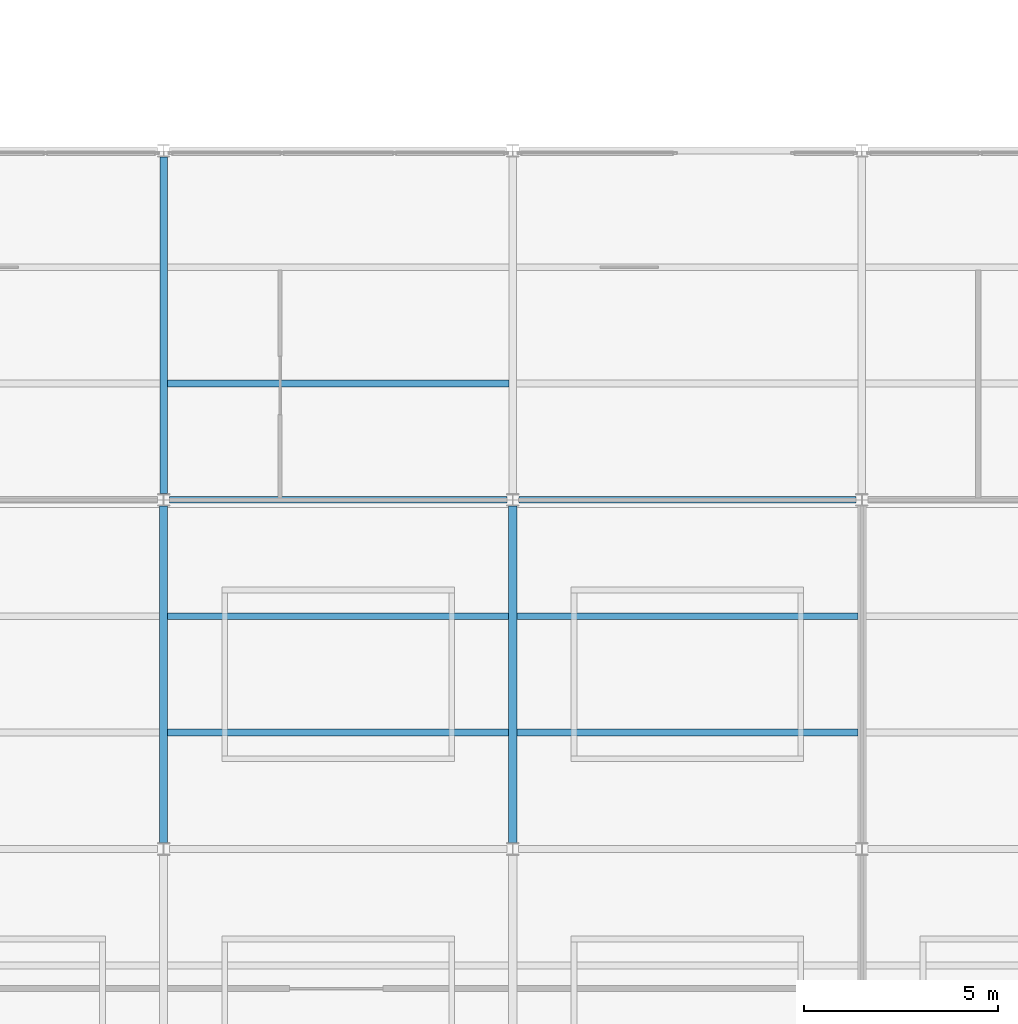
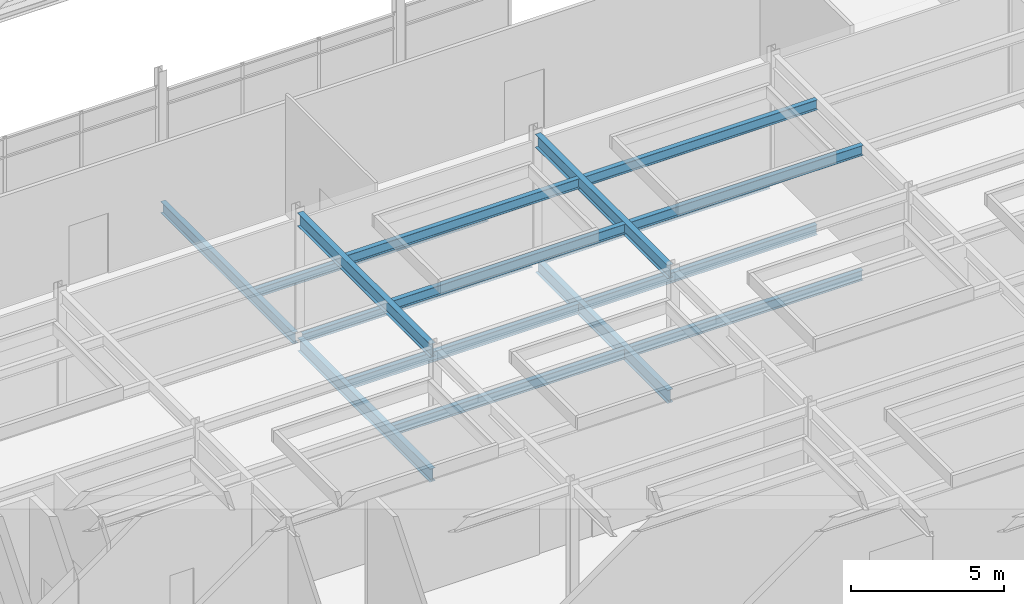
# One storey, part 28 of 115: 16 beams.
"""IFC4 building model written with IfcOpenShell, lengths in metres."""

from ifc_helpers import new_model, si_unit, direction, frame, origin, origin_2d, place, context, subcontext, project, spatial, i_section, extrude, material, material_profile, profile_set, type_object, element, save


model = new_model("IFC4")

# Units and contexts
model_context = context("Model", 3, precision=1e-05, world=origin(), true_north=direction((0.0, 1.0)))
body_context = subcontext(model_context, "Body", "Model", "MODEL_VIEW")
ifc_project = project(units=[si_unit("LENGTHUNIT", "METRE"), si_unit("AREAUNIT", "SQUARE_METRE"), si_unit("VOLUMEUNIT", "CUBIC_METRE"), si_unit("PLANEANGLEUNIT", "RADIAN"), si_unit("MASSUNIT", "GRAM", prefix="KILO")], contexts=[model_context])

# Site, building, storey
site_placement = place(None, origin())
site = spatial("IfcSite", under=ifc_project, at=site_placement, CompositionType="ELEMENT")
building_placement = place(site_placement, origin())
building = spatial("IfcBuilding", under=site, at=building_placement, Name="Shorebreak Coast Museum", CompositionType="ELEMENT")
storey_placement = place(building_placement, frame((0.0, 0.0, 11.0)))
storey = spatial("IfcBuildingStorey", under=building, at=storey_placement, Name="L02", CompositionType="ELEMENT", Elevation=11.0)

# Beams
ifc_material_1 = material(Name="Steel Grade 300", Category="steel")
ifc_material_profile_1 = material_profile(ifc_material_1, i_section(OverallWidth=0.172119140625, OverallDepth=0.358642578125, WebThickness=0.008056640625, FlangeThickness=0.012939453125, FilletRadius=0.011474609375, at=origin_2d()), Name="360UB56.7")
ifc_profile_set_1 = profile_set([ifc_material_profile_1], Name="Steel Grade 300")
beam_type_1 = type_object("IfcBeamType", Name="Floor girder east-west 360UB56.7", PredefinedType="BEAM", material=ifc_profile_set_1)
for number, where, z_axis, x_axis, name in (
    (1, (81.154541015625, 54.0, -0.354248046875), (1.0, 0.0, 0.0), (0.0, 1.0, 0.0), "Floor girder east-west L02 10G"),
    (2, (90.154541015625, 54.0, -0.354248046875), (1.0, 0.0, 0.0), (0.0, 1.0, 0.0), "Floor girder east-west L02 11G"),
):
    element("IfcBeam", number, at=place(storey_placement, frame(where, z_axis=z_axis, x_axis=x_axis)), inside=storey, type_object=beam_type_1, Name=name, PredefinedType="BEAM", context=body_context, shape_type="SweptSolid", body=[
        extrude(i_section(OverallWidth=0.172119140625, OverallDepth=0.358642578125, WebThickness=0.008056640625, FlangeThickness=0.012939453125, FilletRadius=0.011474609375, at=origin_2d()), origin(), (0.0, 0.0, 1.0), 8.69091796875),
    ])
ifc_material_2 = material(Name="Steel Grade 300", Category="steel")
ifc_material_profile_2 = material_profile(ifc_material_2, i_section(OverallWidth=0.19091796875, OverallDepth=0.46044921875, WebThickness=0.010009765625, FlangeThickness=0.01611328125, FilletRadius=0.011474609375, at=origin_2d()), Name="460UB82.1")
ifc_profile_set_2 = profile_set([ifc_material_profile_2], Name="Steel Grade 300")
beam_type_2 = type_object("IfcBeamType", Name="Floor girder north-south 460UB82.1", PredefinedType="BEAM", material=ifc_profile_set_2)
beam_1_placement = place(storey_placement, frame((81.0, 54.160400390625, -0.4052734375), z_axis=(0.0, 1.0, 0.0), x_axis=(-1.0, 0.0, 0.0)))
element("IfcBeam", 3, at=beam_1_placement, inside=storey, type_object=beam_type_2, Name="Floor girder north-south L02 10G", PredefinedType="BEAM", context=body_context, shape_type="SweptSolid", body=[
    extrude(i_section(OverallWidth=0.19091796875, OverallDepth=0.46044921875, WebThickness=0.010009765625, FlangeThickness=0.01611328125, FilletRadius=0.011474609375, at=origin_2d()), origin(), (0.0, 0.0, 1.0), 8.676025390625),
])
ifc_material_3 = material(Name="Steel Grade 300", Category="steel")
ifc_material_profile_3 = material_profile(ifc_material_3, i_section(OverallWidth=0.208984375, OverallDepth=0.5283203125, WebThickness=0.009521484375, FlangeThickness=0.01318359375, FilletRadius=0.013916015625, at=origin_2d()), Name="530UB82.0")
ifc_profile_set_3 = profile_set([ifc_material_profile_3], Name="Steel Grade 300")
beam_type_3 = type_object("IfcBeamType", Name="Floor girder north-south 530UB82.0", PredefinedType="BEAM", material=ifc_profile_set_3)
for number, where, z_axis, x_axis, name in (
    (4, (81.0, 45.160400390625, -0.439208984375), (0.0, 1.0, 0.0), (-1.0, 0.0, 0.0), "Floor girder north-south L02 10F"),
    (5, (90.0, 45.160400390625, -0.439208984375), (0.0, 1.0, 0.0), (-1.0, 0.0, 0.0), "Floor girder north-south L02 11F"),
):
    element("IfcBeam", number, at=place(storey_placement, frame(where, z_axis=z_axis, x_axis=x_axis)), inside=storey, type_object=beam_type_3, Name=name, PredefinedType="BEAM", context=body_context, shape_type="SweptSolid", body=[
        extrude(i_section(OverallWidth=0.208984375, OverallDepth=0.5283203125, WebThickness=0.009521484375, FlangeThickness=0.01318359375, FilletRadius=0.013916015625, at=origin_2d()), origin(), (0.0, 0.0, 1.0), 8.67919921875),
    ])
ifc_material_4 = material(Name="Steel Grade 300", Category="steel")
ifc_material_profile_4 = material_profile(ifc_material_4, i_section(OverallWidth=0.1708984375, OverallDepth=0.35205078125, WebThickness=0.0068359375, FlangeThickness=0.009765625, FilletRadius=0.011474609375, at=origin_2d()), Name="360UB44.7")
ifc_profile_set_4 = profile_set([ifc_material_profile_4], Name="Steel Grade 300")
beam_type_4 = type_object("IfcBeamType", Name="Floor joist 360UB44.7", PredefinedType="JOIST", material=ifc_profile_set_4)
beam_2_placement = place(storey_placement, frame((81.095458984375, 57.0, -0.35107421875), z_axis=(1.0, 0.0, 0.0), x_axis=(0.0, 1.0, 0.0)))
element("IfcBeam", 6, at=beam_2_placement, inside=storey, type_object=beam_type_4, Name="Floor joist L02 bay 10G at 3000 mm", PredefinedType="JOIST", context=body_context, shape_type="SweptSolid", body=[
    extrude(i_section(OverallWidth=0.1708984375, OverallDepth=0.35205078125, WebThickness=0.0068359375, FlangeThickness=0.009765625, FilletRadius=0.011474609375, at=origin_2d()), origin(), (0.0, 0.0, 1.0), 8.80908203125),
])
ifc_material_5 = material(Name="Steel Grade 300", Category="steel")
ifc_material_profile_5 = material_profile(ifc_material_5, i_section(OverallWidth=0.177978515625, OverallDepth=0.406494140625, WebThickness=0.0078125, FlangeThickness=0.0126953125, FilletRadius=0.011474609375, at=origin_2d()), Name="410UB59.7")
ifc_profile_set_5 = profile_set([ifc_material_profile_5], Name="Steel Grade 300")
beam_type_5 = type_object("IfcBeamType", Name="Floor joist 410UB59.7", PredefinedType="JOIST", material=ifc_profile_set_5)
for number, where, z_axis, x_axis, name in (
    (7, (81.1044921875, 48.0, -0.378173828125), (1.0, 0.0, 0.0), (0.0, 1.0, 0.0), "Floor joist L02 bay 10F at 3000 mm"),
    (8, (81.1044921875, 51.0, -0.378173828125), (1.0, 0.0, 0.0), (0.0, 1.0, 0.0), "Floor joist L02 bay 10F at 6000 mm"),
    (9, (90.1044921875, 48.0, -0.378173828125), (1.0, 0.0, 0.0), (0.0, 1.0, 0.0), "Floor joist L02 bay 11F at 3000 mm"),
    (10, (90.1044921875, 51.0, -0.378173828125), (1.0, 0.0, 0.0), (0.0, 1.0, 0.0), "Floor joist L02 bay 11F at 6000 mm"),
):
    element("IfcBeam", number, at=place(storey_placement, frame(where, z_axis=z_axis, x_axis=x_axis)), inside=storey, type_object=beam_type_5, Name=name, PredefinedType="JOIST", context=body_context, shape_type="SweptSolid", body=[
        extrude(i_section(OverallWidth=0.177978515625, OverallDepth=0.406494140625, WebThickness=0.0078125, FlangeThickness=0.0126953125, FilletRadius=0.011474609375, at=origin_2d()), origin(), (0.0, 0.0, 1.0), 8.791015625),
    ])
ifc_material_6 = material(Name="Steel Grade 300", Category="steel")
ifc_material_profile_6 = material_profile(ifc_material_6, i_section(OverallWidth=0.208984375, OverallDepth=0.5283203125, WebThickness=0.009521484375, FlangeThickness=0.01318359375, FilletRadius=0.013916015625, at=origin_2d()), Name="530UB82.0")
ifc_profile_set_6 = profile_set([ifc_material_profile_6], Name="Steel Grade 300")
beam_type_6 = type_object("IfcBeamType", Name="Roof deck girder north-south 530UB82.0", PredefinedType="BEAM", material=ifc_profile_set_6)
for number, where, z_axis, x_axis, name in (
    (11, (81.0, 45.1572265625, 4.560791015625), (0.0, 1.0, 0.0), (-1.0, 0.0, 0.0), "Roof deck girder north-south L03 10F"),
    (12, (90.0, 45.1572265625, 4.560791015625), (0.0, 1.0, 0.0), (-1.0, 0.0, 0.0), "Roof deck girder north-south L03 11F"),
):
    element("IfcBeam", number, at=place(storey_placement, frame(where, z_axis=z_axis, x_axis=x_axis)), inside=storey, type_object=beam_type_6, Name=name, PredefinedType="BEAM", context=body_context, shape_type="SweptSolid", body=[
        extrude(i_section(OverallWidth=0.208984375, OverallDepth=0.5283203125, WebThickness=0.009521484375, FlangeThickness=0.01318359375, FilletRadius=0.013916015625, at=origin_2d()), origin(), (0.0, 0.0, 1.0), 8.685546875),
    ])
ifc_material_7 = material(Name="Steel Grade 300", Category="steel")
ifc_material_profile_7 = material_profile(ifc_material_7, i_section(OverallWidth=0.177978515625, OverallDepth=0.402587890625, WebThickness=0.007568359375, FlangeThickness=0.010986328125, FilletRadius=0.011474609375, at=origin_2d()), Name="410UB53.7")
ifc_profile_set_7 = profile_set([ifc_material_profile_7], Name="Steel Grade 300")
beam_type_7 = type_object("IfcBeamType", Name="Roof deck joist 410UB53.7", PredefinedType="JOIST", material=ifc_profile_set_7)
for number, where, z_axis, x_axis, name in (
    (13, (81.1044921875, 48.0, 4.623779296875), (1.0, 0.0, 0.0), (0.0, 1.0, 0.0), "Roof deck joist L03 bay 10F at 3000 mm"),
    (14, (81.1044921875, 51.0, 4.623779296875), (1.0, 0.0, 0.0), (0.0, 1.0, 0.0), "Roof deck joist L03 bay 10F at 6000 mm"),
    (15, (90.1044921875, 48.0, 4.623779296875), (1.0, 0.0, 0.0), (0.0, 1.0, 0.0), "Roof deck joist L03 bay 11F at 3000 mm"),
    (16, (90.1044921875, 51.0, 4.623779296875), (1.0, 0.0, 0.0), (0.0, 1.0, 0.0), "Roof deck joist L03 bay 11F at 6000 mm"),
):
    element("IfcBeam", number, at=place(storey_placement, frame(where, z_axis=z_axis, x_axis=x_axis)), inside=storey, type_object=beam_type_7, Name=name, PredefinedType="JOIST", context=body_context, shape_type="SweptSolid", body=[
        extrude(i_section(OverallWidth=0.177978515625, OverallDepth=0.402587890625, WebThickness=0.007568359375, FlangeThickness=0.010986328125, FilletRadius=0.011474609375, at=origin_2d()), origin(), (0.0, 0.0, 1.0), 8.791015625),
    ])

save(model, "model.ifc")
